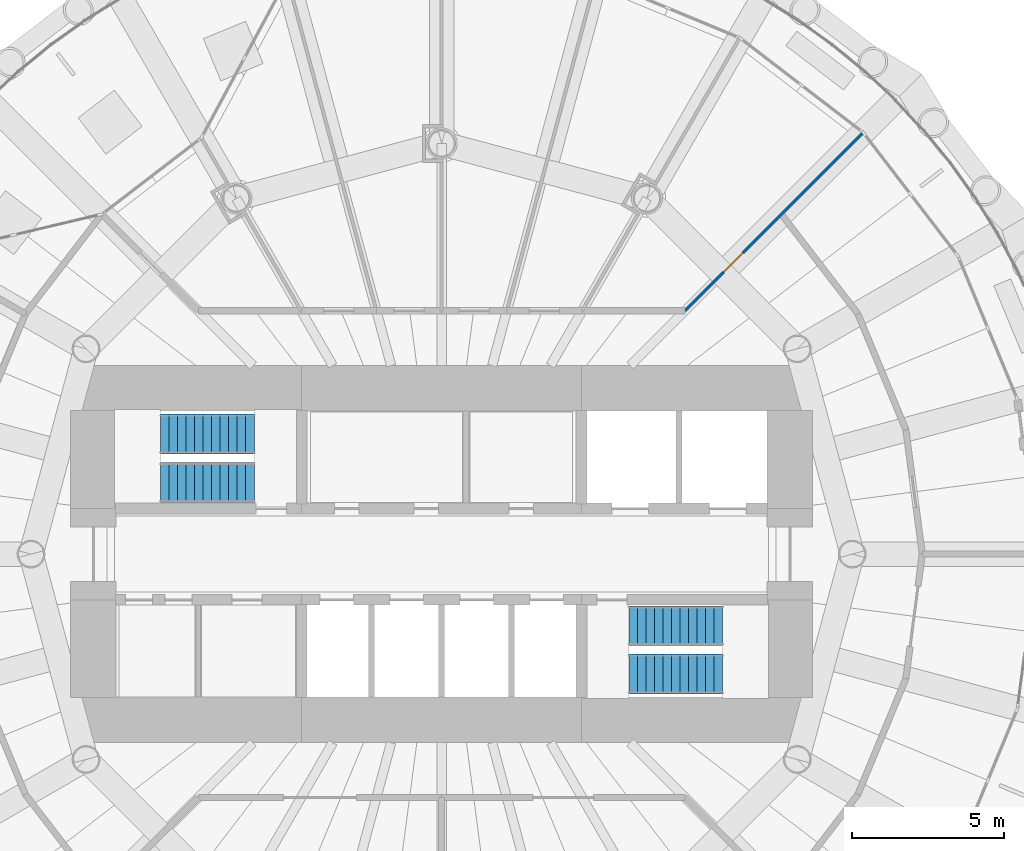
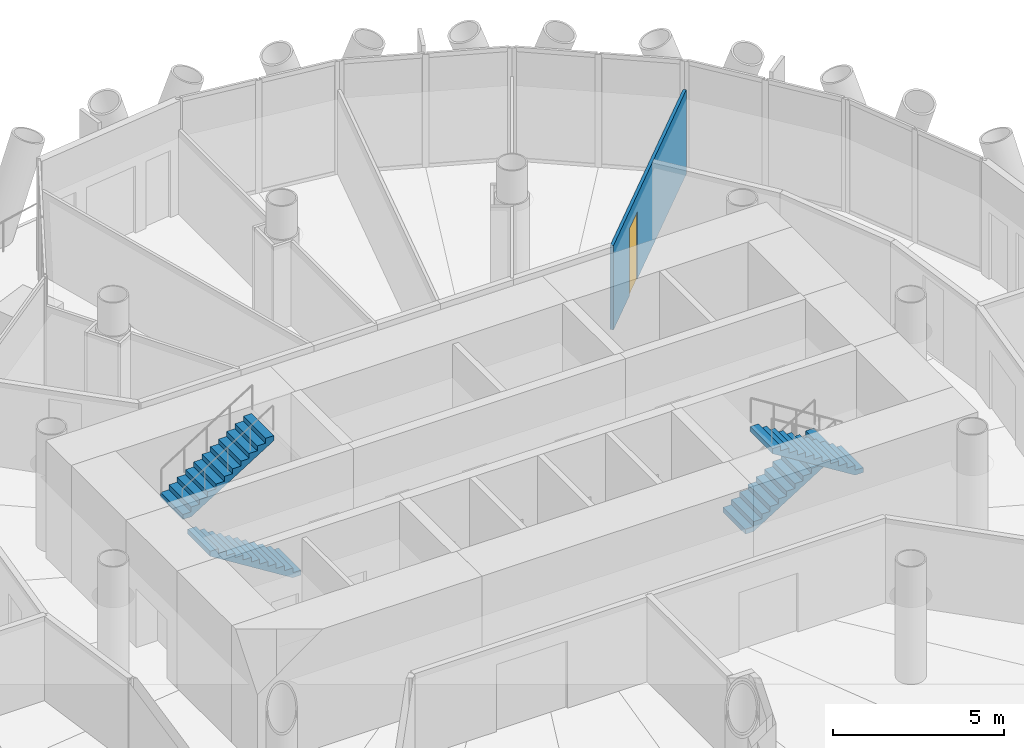
# One storey, part 11 of 14: 4 stair flights, 1 door, 1 wall, 1 opening, 2 elements without a shape of their own.
"""IFC4 building model written with IfcOpenShell, lengths in metres."""

from ifc_helpers import new_model, si_unit, direction, frame, frame_2d, origin, place, context, subcontext, project, spatial, polyline, rectangle, outline, extrude, material, layer, layer_set, type_object, element, fill, aggregate, save


model = new_model("IFC4")

# Units and contexts
model_context = context("Model", 3, precision=1e-05, world=origin(), true_north=direction((0.0, 1.0)))
body_context = subcontext(model_context, "Body", "Model", "MODEL_VIEW")
ifc_project = project(units=[si_unit("LENGTHUNIT", "METRE"), si_unit("AREAUNIT", "SQUARE_METRE"), si_unit("VOLUMEUNIT", "CUBIC_METRE"), si_unit("PLANEANGLEUNIT", "RADIAN"), si_unit("MASSUNIT", "GRAM", prefix="KILO")], contexts=[model_context])

# Site, building, storey
site_placement = place(None, origin())
site = spatial("IfcSite", under=ifc_project, at=site_placement, CompositionType="ELEMENT")
building_placement = place(site_placement, origin())
building = spatial("IfcBuilding", under=site, at=building_placement, Name="Qaws Media Tower", CompositionType="ELEMENT")
storey_placement = place(building_placement, frame((0.0, 0.0, 261.199951171875)))
storey = spatial("IfcBuildingStorey", under=building, at=storey_placement, Name="L60", CompositionType="ELEMENT", Elevation=261.199951171875)

# Wall, opening, door
ifc_material_1 = material(Name="Gypsum board on 70 metal studs, single layer each side", Category="gypsum")
ifc_layer = layer(ifc_material_1, 0.10009765625)
ifc_layer_set = layer_set([ifc_layer], Name="Office stud partition 100")
wall_type = type_object("IfcWallType", Name="Office stud partition 100", PredefinedType="PARTITIONING", material=ifc_layer_set)
wall_placement = place(storey_placement, frame((68.0, 58.0, 0.0), z_axis=(0.0, 0.0, 1.0), x_axis=(0.707106781187, 0.707106781187, 0.0)))
wall = element("IfcWall", 1, at=wall_placement, inside=storey, type_object=wall_type, Name="W713 IW4 partition L60", PredefinedType="PARTITIONING", context=body_context, shape_type="SweptSolid", body=[
    extrude(rectangle(XDim=8.246337890625, YDim=0.10009765625, at=frame_2d((4.123046875, 0.0))), origin(), (0.0, 0.0, 1.0), 3.02001953125),
])
opening_placement = place(wall_placement, frame((1.793212890625, 0.0, 0.0)))
opening = element("IfcOpeningElement", 2, at=opening_placement, cuts=wall, Name="Opening D27", PredefinedType="OPENING", context=body_context, shape_type="SweptSolid", body=[
    extrude(rectangle(XDim=0.89990234375, YDim=2.39990234375, at=frame_2d((0.449951171875, 1.199951171875))), frame((0.0, 0.06005859375, 0.0), z_axis=(0.0, -1.0, 0.0), x_axis=(1.0, 0.0, 0.0)), (0.0, 0.0, 1.0), 0.1201171875),
])
ifc_material_2 = material(Name="Timber veneered, full height", Category="wood")
door_type = type_object("IfcDoorType", Name="Office connecting door 900x2400", OperationType="SINGLE_SWING_LEFT", PredefinedType="DOOR", material=ifc_material_2)
door_placement = place(opening_placement, origin())
door = element("IfcDoor", 3, at=door_placement, inside=storey, type_object=door_type, Name="D27 PA office door L60 in wall W713", OperationType="SINGLE_SWING_LEFT", OverallHeight=2.39990234375, OverallWidth=0.89990234375, PredefinedType="DOOR", context=body_context, shape_type="SweptSolid", body=[
    extrude(rectangle(XDim=0.89990234375, YDim=2.39990234375, at=frame_2d((0.449951171875, 1.199951171875))), frame((0.0, 0.02490234375, 0.0), z_axis=(0.0, -1.0, 0.0), x_axis=(1.0, 0.0, 0.0)), (0.0, 0.0, 1.0), 0.050048828125),
])
fill(opening, door)

# Stair, stair flights
ifc_material_3 = material(Name="Concrete C40/50", Category="concrete")
stair_type = type_object("IfcStairType", Name="Exit stair", PredefinedType="HALF_TURN_STAIR", material=ifc_material_3)
stair_1_placement = place(storey_placement, origin())
stair_1 = element("IfcStair", 4, at=stair_1_placement, inside=storey, type_object=stair_type, Name="S1 exit stair L60", PredefinedType="HALF_TURN_STAIR")
ifc_material_4 = material(Name="Concrete C40/50", Category="concrete")
stair_flight_type = type_object("IfcStairFlightType", Name="Stair flight 1310", PredefinedType="STRAIGHT", material=ifc_material_4)
stair_flight_1_placement = place(storey_placement, frame((53.840087890625, 52.35498046875, 0.0), z_axis=(0.0, 0.0, 1.0), x_axis=(-1.0, 0.0, 0.0)))
stair_flight_1 = element("IfcStairFlight", 5, at=stair_flight_1_placement, type_object=stair_flight_type, Name="S1 flight 1", NumberOfRisers=12, NumberOfTreads=11, PredefinedType="STRAIGHT", RiserHeight=0.175, TreadLength=0.28, context=body_context, shape_type="SweptSolid", body=[
    extrude(outline(polyline([(0.0, 0.0), (0.0, 0.175048828125), (0.280029296875, 0.175048828125), (0.280029296875, 0.35009765625), (0.56005859375, 0.35009765625), (0.56005859375, 0.52490234375), (0.840087890625, 0.52490234375), (0.840087890625, 0.699951171875), (1.1201171875, 0.699951171875), (1.1201171875, 0.875), (1.39990234375, 0.875), (1.39990234375, 1.050048828125), (1.679931640625, 1.050048828125), (1.679931640625, 1.22509765625), (1.9599609375, 1.22509765625), (1.9599609375, 1.39990234375), (2.239990234375, 1.39990234375), (2.239990234375, 1.574951171875), (2.52001953125, 1.574951171875), (2.52001953125, 1.75), (2.800048828125, 1.75), (2.800048828125, 1.925048828125), (3.080078125, 1.925048828125), (3.080078125, 2.10009765625), (3.080078125, 1.748291015625), (0.28271484375, 0.0), (0.0, 0.0)])), frame((0.0, 0.655029296875, 0.0), z_axis=(0.0, -1.0, 0.0), x_axis=(1.0, 0.0, 0.0)), (0.0, 0.0, 1.0), 1.31005859375),
])
stair_flight_2_placement = place(storey_placement, frame((50.760009765625, 53.945068359375, 2.10009765625), z_axis=(0.0, 0.0, 1.0), x_axis=(1.0, 0.0, 0.0)))
stair_flight_2 = element("IfcStairFlight", 6, at=stair_flight_2_placement, type_object=stair_flight_type, Name="S1 flight 2", NumberOfRisers=12, NumberOfTreads=11, PredefinedType="STRAIGHT", RiserHeight=0.175, TreadLength=0.28, context=body_context, shape_type="SweptSolid", body=[
    extrude(outline(polyline([(0.0, 0.0), (0.0, 0.175048828125), (0.280029296875, 0.175048828125), (0.280029296875, 0.35009765625), (0.56005859375, 0.35009765625), (0.56005859375, 0.52490234375), (0.840087890625, 0.52490234375), (0.840087890625, 0.699951171875), (1.1201171875, 0.699951171875), (1.1201171875, 0.875), (1.39990234375, 0.875), (1.39990234375, 1.050048828125), (1.679931640625, 1.050048828125), (1.679931640625, 1.22509765625), (1.9599609375, 1.22509765625), (1.9599609375, 1.39990234375), (2.239990234375, 1.39990234375), (2.239990234375, 1.574951171875), (2.52001953125, 1.574951171875), (2.52001953125, 1.75), (2.800048828125, 1.75), (2.800048828125, 1.925048828125), (3.080078125, 1.925048828125), (3.080078125, 2.10009765625), (3.080078125, 1.748291015625), (0.28271484375, 0.0), (0.0, 0.0)])), frame((0.0, 0.655029296875, 0.0), z_axis=(0.0, -1.0, 0.0), x_axis=(1.0, 0.0, 0.0)), (0.0, 0.0, 1.0), 1.31005859375),
])
aggregate(stair_1, [stair_flight_1, stair_flight_2])

stair_2_placement = place(storey_placement, origin())
stair_2 = element("IfcStair", 7, at=stair_2_placement, inside=storey, type_object=stair_type, Name="S2 exit stair L60", PredefinedType="HALF_TURN_STAIR")
stair_flight_3_placement = place(storey_placement, frame((66.159912109375, 47.64501953125, 0.0), z_axis=(0.0, 0.0, 1.0), x_axis=(1.0, 0.0, 0.0)))
stair_flight_3 = element("IfcStairFlight", 8, at=stair_flight_3_placement, type_object=stair_flight_type, Name="S2 flight 1", NumberOfRisers=12, NumberOfTreads=11, PredefinedType="STRAIGHT", RiserHeight=0.175, TreadLength=0.28, context=body_context, shape_type="SweptSolid", body=[
    extrude(outline(polyline([(0.0, 0.0), (0.0, 0.175048828125), (0.280029296875, 0.175048828125), (0.280029296875, 0.35009765625), (0.56005859375, 0.35009765625), (0.56005859375, 0.52490234375), (0.840087890625, 0.52490234375), (0.840087890625, 0.699951171875), (1.1201171875, 0.699951171875), (1.1201171875, 0.875), (1.39990234375, 0.875), (1.39990234375, 1.050048828125), (1.679931640625, 1.050048828125), (1.679931640625, 1.22509765625), (1.9599609375, 1.22509765625), (1.9599609375, 1.39990234375), (2.239990234375, 1.39990234375), (2.239990234375, 1.574951171875), (2.52001953125, 1.574951171875), (2.52001953125, 1.75), (2.800048828125, 1.75), (2.800048828125, 1.925048828125), (3.080078125, 1.925048828125), (3.080078125, 2.10009765625), (3.080078125, 1.748291015625), (0.28271484375, 0.0), (0.0, 0.0)])), frame((0.0, 0.655029296875, 0.0), z_axis=(0.0, -1.0, 0.0), x_axis=(1.0, 0.0, 0.0)), (0.0, 0.0, 1.0), 1.31005859375),
])
stair_flight_4_placement = place(storey_placement, frame((69.239990234375, 46.054931640625, 2.10009765625), z_axis=(0.0, 0.0, 1.0), x_axis=(-1.0, 0.0, 0.0)))
stair_flight_4 = element("IfcStairFlight", 9, at=stair_flight_4_placement, type_object=stair_flight_type, Name="S2 flight 2", NumberOfRisers=12, NumberOfTreads=11, PredefinedType="STRAIGHT", RiserHeight=0.175, TreadLength=0.28, context=body_context, shape_type="SweptSolid", body=[
    extrude(outline(polyline([(0.0, 0.0), (0.0, 0.175048828125), (0.280029296875, 0.175048828125), (0.280029296875, 0.35009765625), (0.56005859375, 0.35009765625), (0.56005859375, 0.52490234375), (0.840087890625, 0.52490234375), (0.840087890625, 0.699951171875), (1.1201171875, 0.699951171875), (1.1201171875, 0.875), (1.39990234375, 0.875), (1.39990234375, 1.050048828125), (1.679931640625, 1.050048828125), (1.679931640625, 1.22509765625), (1.9599609375, 1.22509765625), (1.9599609375, 1.39990234375), (2.239990234375, 1.39990234375), (2.239990234375, 1.574951171875), (2.52001953125, 1.574951171875), (2.52001953125, 1.75), (2.800048828125, 1.75), (2.800048828125, 1.925048828125), (3.080078125, 1.925048828125), (3.080078125, 2.10009765625), (3.080078125, 1.748291015625), (0.28271484375, 0.0), (0.0, 0.0)])), frame((0.0, 0.655029296875, 0.0), z_axis=(0.0, -1.0, 0.0), x_axis=(1.0, 0.0, 0.0)), (0.0, 0.0, 1.0), 1.31005859375),
])
aggregate(stair_2, [stair_flight_3, stair_flight_4])

save(model, "model.ifc")
